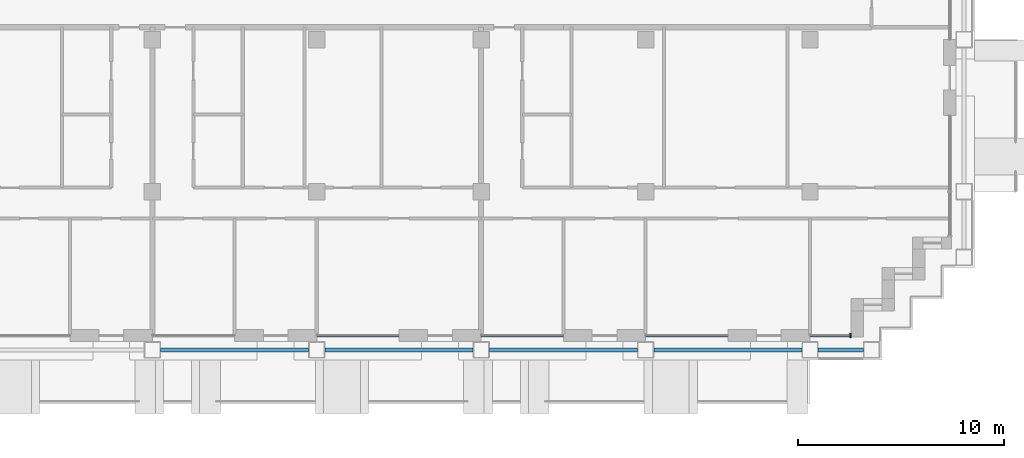
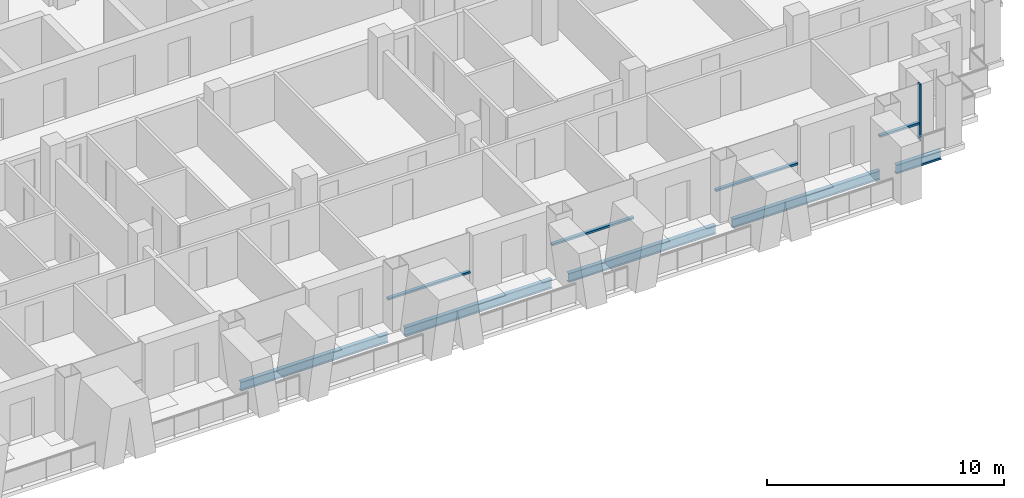
# One storey, part 3 of 16: 5 beams, 5 members, 4 elements without a shape of their own.
"""IFC4 building model written with IfcOpenShell, lengths in metres."""

from ifc_helpers import new_model, si_unit, direction, frame, origin, origin_2d, place, context, subcontext, project, spatial, rectangle, i_section, extrude, material, material_profile, profile_set, type_object, element, aggregate, save


model = new_model("IFC4")

# Units and contexts
model_context = context("Model", 3, precision=1e-05, world=origin(), true_north=direction((0.0, 1.0)))
body_context = subcontext(model_context, "Body", "Model", "MODEL_VIEW")
ifc_project = project(units=[si_unit("LENGTHUNIT", "METRE"), si_unit("AREAUNIT", "SQUARE_METRE"), si_unit("VOLUMEUNIT", "CUBIC_METRE"), si_unit("PLANEANGLEUNIT", "RADIAN"), si_unit("MASSUNIT", "GRAM", prefix="KILO")], contexts=[model_context])

# Site, building, storey
site_placement = place(None, origin())
site = spatial("IfcSite", under=ifc_project, at=site_placement, CompositionType="ELEMENT")
building_placement = place(site_placement, origin())
building = spatial("IfcBuilding", under=site, at=building_placement, Name="Vidyagriha Tower", CompositionType="ELEMENT")
storey_placement = place(building_placement, frame((0.0, 0.0, 129.39990234375)))
storey = spatial("IfcBuildingStorey", under=building, at=storey_placement, Name="L33", CompositionType="ELEMENT", Elevation=129.39990234375)

# Beams
ifc_material_1 = material(Name="Steel ASTM A992 Grade 50", Category="steel")
ifc_material_profile_1 = material_profile(ifc_material_1, i_section(OverallWidth=0.19189453125, OverallDepth=0.46240234375, WebThickness=0.010498046875, FlangeThickness=0.017578125, at=origin_2d()), Name="W18X60")
ifc_profile_set_1 = profile_set([ifc_material_profile_1], Name="Steel ASTM A992 Grade 50")
beam_type = type_object("IfcBeamType", Name="Edge beam W18X60", PredefinedType="SPANDREL", material=ifc_profile_set_1)
for number, where, z_axis, x_axis, name in (
    (1, (-5.60009765625, -17.10009765625, -0.510986328125), (1.0, 0.0, 0.0), (0.0, 1.0, 0.0), "st-beam-L33-S04"),
    (2, (2.39990234375, -17.10009765625, -0.510986328125), (1.0, 0.0, 0.0), (0.0, 1.0, 0.0), "st-beam-L33-S05"),
    (3, (10.39990234375, -17.10009765625, -0.510986328125), (1.0, 0.0, 0.0), (0.0, 1.0, 0.0), "st-beam-L33-S06"),
    (4, (18.39990234375, -17.10009765625, -0.510986328125), (1.0, 0.0, 0.0), (0.0, 1.0, 0.0), "st-beam-L33-S07"),
):
    element("IfcBeam", number, at=place(storey_placement, frame(where, z_axis=z_axis, x_axis=x_axis)), inside=storey, type_object=beam_type, Name=name, PredefinedType="SPANDREL", context=body_context, shape_type="SweptSolid", body=[
        extrude(i_section(OverallWidth=0.19189453125, OverallDepth=0.46240234375, WebThickness=0.010498046875, FlangeThickness=0.017578125, at=origin_2d()), origin(), (0.0, 0.0, 1.0), 7.2001953125),
    ])
beam_placement = place(storey_placement, frame((26.39990234375, -17.10009765625, -0.510986328125), z_axis=(1.0, 0.0, 0.0), x_axis=(0.0, 1.0, 0.0)))
element("IfcBeam", 5, at=beam_placement, inside=storey, type_object=beam_type, Name="st-beam-L33-S08", PredefinedType="SPANDREL", context=body_context, shape_type="SweptSolid", body=[
    extrude(i_section(OverallWidth=0.19189453125, OverallDepth=0.46240234375, WebThickness=0.010498046875, FlangeThickness=0.017578125, at=origin_2d()), origin(), (0.0, 0.0, 1.0), 2.2001953125),
])

# Curtain wall, member
ifc_material_2 = material(Name="Aluminium and glass curtain wall", Category="aluminium")
curtain_wall_type = type_object("IfcCurtainWallType", Name="Dwelling skin unitised curtain wall", PredefinedType="USERDEFINED", material=ifc_material_2)
curtain_wall_1_placement = place(storey_placement, origin())
curtain_wall_1 = element("IfcCurtainWall", 6, at=curtain_wall_1_placement, inside=storey, type_object=curtain_wall_type, Name="CW1 dwelling skin", ObjectType="UNITISED", PredefinedType="USERDEFINED")
ifc_material_3 = material(Name="Aluminium black anodised", Category="aluminium")
ifc_material_profile_2 = material_profile(ifc_material_3, rectangle(XDim=0.199951171875, YDim=0.070068359375, at=origin_2d()), Name="Mullion 70x200 black aluminium")
ifc_profile_set_2 = profile_set([ifc_material_profile_2], Name="Aluminium black anodised")
member_type_1 = type_object("IfcMemberType", Name="Mullion 70x200 black aluminium", PredefinedType="MULLION", material=ifc_profile_set_2)
member_1_placement = place(storey_placement, frame((27.965087890625, -16.39990234375, 0.0), z_axis=(0.0, 0.0, 1.0), x_axis=(0.0, 1.0, 0.0)))
member_1 = element("IfcMember", 7, at=member_1_placement, type_object=member_type_1, Name="CW1 mullion 2", PredefinedType="MULLION", context=body_context, shape_type="SweptSolid", body=[
    extrude(rectangle(XDim=0.199951171875, YDim=0.070068359375, at=origin_2d()), origin(), (0.0, 0.0, 1.0), 2.920166015625),
])

curtain_wall_2_placement = place(storey_placement, origin())
curtain_wall_2 = element("IfcCurtainWall", 8, at=curtain_wall_2_placement, inside=storey, type_object=curtain_wall_type, Name="CW1 dwelling skin", ObjectType="UNITISED", PredefinedType="USERDEFINED")
ifc_material_4 = material(Name="Aluminium black anodised", Category="aluminium")
ifc_material_profile_3 = material_profile(ifc_material_4, rectangle(XDim=0.159912109375, YDim=0.10009765625, at=origin_2d()), Name="Transom 100x160 black aluminium")
ifc_profile_set_3 = profile_set([ifc_material_profile_3], Name="Aluminium black anodised")
member_type_2 = type_object("IfcMemberType", Name="Transom 100x160 black aluminium", PredefinedType="USERDEFINED", material=ifc_profile_set_3)
member_2_placement = place(storey_placement, frame((2.0, -16.39990234375, 0.900146484375), z_axis=(1.0, 0.0, 0.0), x_axis=(0.0, 1.0, 0.0)))
member_2 = element("IfcMember", 9, at=member_2_placement, type_object=member_type_2, Name="CW1 transom 1.1", ObjectType="TRANSOM", PredefinedType="USERDEFINED", context=body_context, shape_type="SweptSolid", body=[
    extrude(rectangle(XDim=0.159912109375, YDim=0.10009765625, at=origin_2d()), origin(), (0.0, 0.0, 1.0), 4.0),
])
aggregate(curtain_wall_2, [member_2])

curtain_wall_3_placement = place(storey_placement, origin())
curtain_wall_3 = element("IfcCurtainWall", 10, at=curtain_wall_3_placement, inside=storey, type_object=curtain_wall_type, Name="CW1 dwelling skin", ObjectType="UNITISED", PredefinedType="USERDEFINED")
member_3_placement = place(storey_placement, frame((10.0, -16.39990234375, 0.900146484375), z_axis=(1.0, 0.0, 0.0), x_axis=(0.0, 1.0, 0.0)))
member_3 = element("IfcMember", 11, at=member_3_placement, type_object=member_type_2, Name="CW1 transom 1.1", ObjectType="TRANSOM", PredefinedType="USERDEFINED", context=body_context, shape_type="SweptSolid", body=[
    extrude(rectangle(XDim=0.159912109375, YDim=0.10009765625, at=origin_2d()), origin(), (0.0, 0.0, 1.0), 4.0),
])
aggregate(curtain_wall_3, [member_3])

curtain_wall_4_placement = place(storey_placement, origin())
curtain_wall_4 = element("IfcCurtainWall", 12, at=curtain_wall_4_placement, inside=storey, type_object=curtain_wall_type, Name="CW1 dwelling skin", ObjectType="UNITISED", PredefinedType="USERDEFINED")
member_4_placement = place(storey_placement, frame((18.0, -16.39990234375, 0.900146484375), z_axis=(1.0, 0.0, 0.0), x_axis=(0.0, 1.0, 0.0)))
member_4 = element("IfcMember", 13, at=member_4_placement, type_object=member_type_2, Name="CW1 transom 1.1", ObjectType="TRANSOM", PredefinedType="USERDEFINED", context=body_context, shape_type="SweptSolid", body=[
    extrude(rectangle(XDim=0.159912109375, YDim=0.10009765625, at=origin_2d()), origin(), (0.0, 0.0, 1.0), 4.0),
])
aggregate(curtain_wall_4, [member_4])

# Member
member_5_placement = place(storey_placement, frame((26.0, -16.39990234375, 0.900146484375), z_axis=(1.0, 0.0, 0.0), x_axis=(0.0, 1.0, 0.0)))
member_5 = element("IfcMember", 14, at=member_5_placement, type_object=member_type_2, Name="CW1 transom 1.1", ObjectType="TRANSOM", PredefinedType="USERDEFINED", context=body_context, shape_type="SweptSolid", body=[
    extrude(rectangle(XDim=0.159912109375, YDim=0.10009765625, at=origin_2d()), origin(), (0.0, 0.0, 1.0), 1.929931640625),
])

aggregate(curtain_wall_1, [member_1, member_5])

save(model, "model.ifc")
